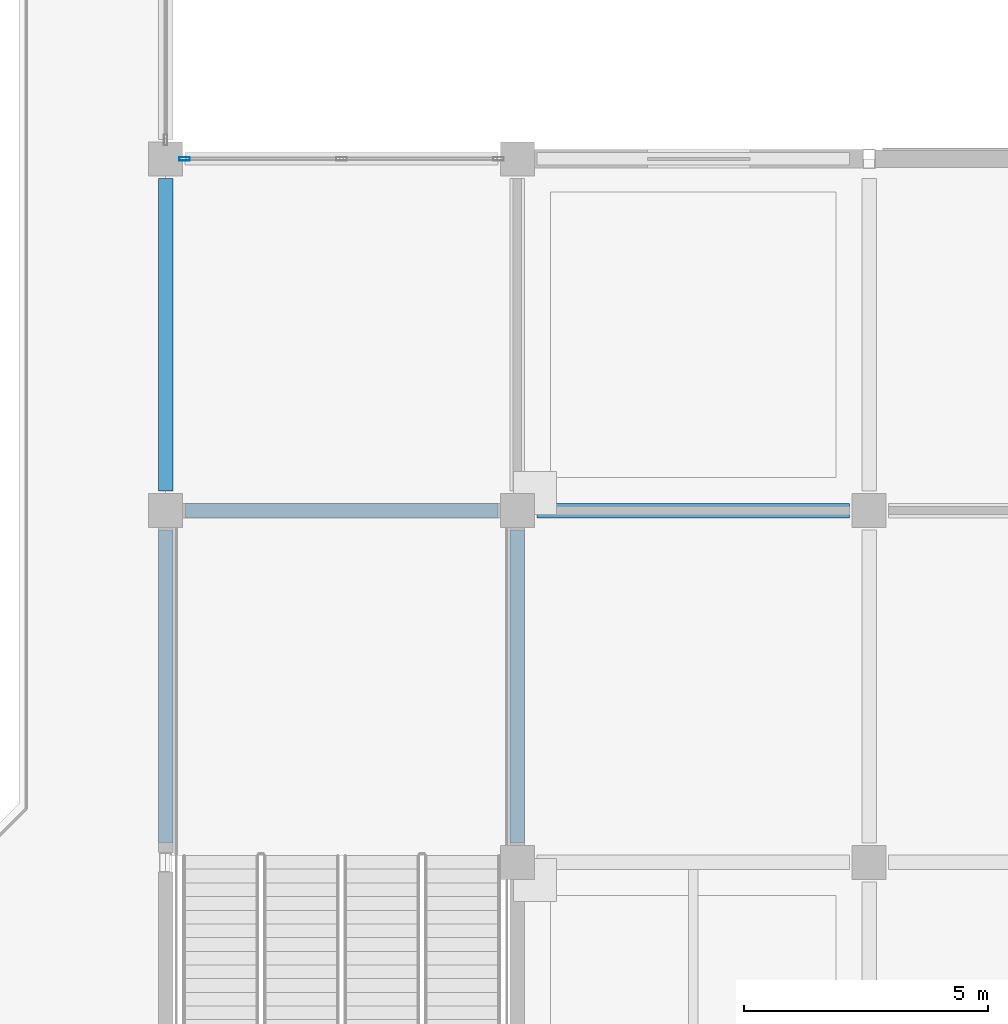
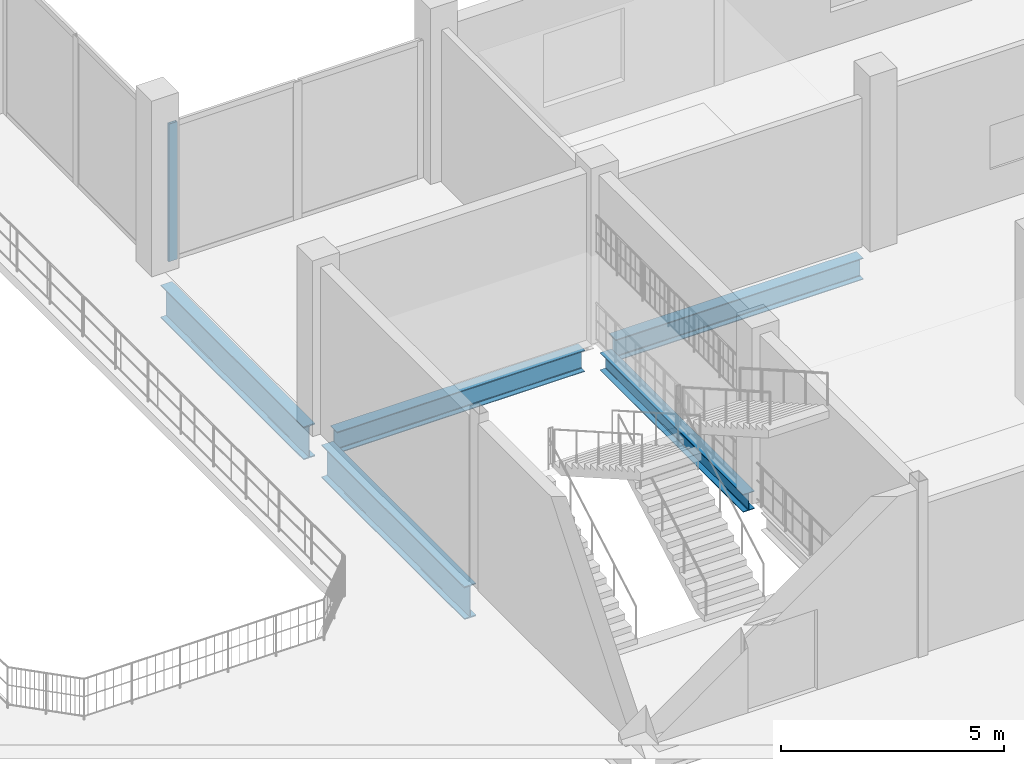
# One storey, part 36 of 120: 5 beams, 1 member, 1 element without a shape of its own.
"""IFC4 building model written with IfcOpenShell, lengths in metres."""

from ifc_helpers import new_model, si_unit, direction, frame, origin, origin_2d, place, context, subcontext, project, spatial, hollow_rectangle, i_section, extrude, material, material_profile, profile_set, type_object, element, aggregate, save


model = new_model("IFC4")

# Units and contexts
model_context = context("Model", 3, precision=1e-05, world=origin(), true_north=direction((0.0, 1.0)))
body_context = subcontext(model_context, "Body", "Model", "MODEL_VIEW")
ifc_project = project(units=[si_unit("LENGTHUNIT", "METRE"), si_unit("AREAUNIT", "SQUARE_METRE"), si_unit("VOLUMEUNIT", "CUBIC_METRE"), si_unit("PLANEANGLEUNIT", "RADIAN"), si_unit("MASSUNIT", "GRAM", prefix="KILO")], contexts=[model_context])

# Site, building, storey
site_placement = place(None, origin())
site = spatial("IfcSite", under=ifc_project, at=site_placement, CompositionType="ELEMENT")
building_placement = place(site_placement, origin())
building = spatial("IfcBuilding", under=site, at=building_placement, Name="Vesperath Aquatics Centre", CompositionType="ELEMENT")
storey_placement = place(building_placement, frame((0.0, 0.0, 10.199951171875)))
storey = spatial("IfcBuildingStorey", under=building, at=storey_placement, Name="L02", CompositionType="ELEMENT", Elevation=10.199951171875)

# Beams
ifc_material_1 = material(Name="Steel Q355D", Category="steel")
ifc_material_profile_1 = material_profile(ifc_material_1, i_section(OverallWidth=0.300048828125, OverallDepth=0.89990234375, WebThickness=0.01611328125, FlangeThickness=0.028076171875, FilletRadius=0.028076171875, at=origin_2d()), Name="HN 900x300x16x28")
ifc_profile_set_1 = profile_set([ifc_material_profile_1], Name="Steel Q355D")
beam_type_1 = type_object("IfcBeamType", Name="BM-G06", PredefinedType="BEAM", material=ifc_profile_set_1)
for number, where, z_axis, x_axis, name in (
    (1, (115.199951171875, 29.199951171875, -0.7099609375), (0.0, 1.0, 0.0), (-1.0, 0.0, 0.0), "Floor Girder B06 L02 17 E-F"),
    (2, (115.199951171875, 36.39990234375, -0.7099609375), (0.0, 1.0, 0.0), (-1.0, 0.0, 0.0), "Floor Girder B06 L02 17 F-G"),
):
    element("IfcBeam", number, at=place(storey_placement, frame(where, z_axis=z_axis, x_axis=x_axis)), inside=storey, type_object=beam_type_1, Name=name, PredefinedType="BEAM", context=body_context, shape_type="SweptSolid", body=[
        extrude(i_section(OverallWidth=0.300048828125, OverallDepth=0.89990234375, WebThickness=0.01611328125, FlangeThickness=0.028076171875, FilletRadius=0.028076171875, at=origin_2d()), origin(), (0.0, 0.0, 1.0), 6.400146484375),
    ])
ifc_material_2 = material(Name="Steel Q355C", Category="steel")
ifc_material_profile_2 = material_profile(ifc_material_2, i_section(OverallWidth=0.300048828125, OverallDepth=0.587890625, WebThickness=0.011962890625, FlangeThickness=0.02001953125, FilletRadius=0.028076171875, at=origin_2d()), Name="HM 588x300x12x20")
ifc_profile_set_2 = profile_set([ifc_material_profile_2], Name="Steel Q355C")
beam_type_2 = type_object("IfcBeamType", Name="BM-G09", PredefinedType="BEAM", material=ifc_profile_set_2)
for number, where, z_axis, x_axis, name in (
    (3, (115.60009765625, 36.0, -0.553955078125), (1.0, 0.0, 0.0), (0.0, 1.0, 0.0), "Floor Girder B09 L02 F 17-18"),
    (4, (122.800048828125, 36.0, -0.553955078125), (1.0, 0.0, 0.0), (0.0, 1.0, 0.0), "Floor Girder B09 L02 F 18-19"),
):
    element("IfcBeam", number, at=place(storey_placement, frame(where, z_axis=z_axis, x_axis=x_axis)), inside=storey, type_object=beam_type_2, Name=name, PredefinedType="BEAM", context=body_context, shape_type="SweptSolid", body=[
        extrude(i_section(OverallWidth=0.300048828125, OverallDepth=0.587890625, WebThickness=0.011962890625, FlangeThickness=0.02001953125, FilletRadius=0.028076171875, at=origin_2d()), origin(), (0.0, 0.0, 1.0), 6.39990234375),
    ])
ifc_material_profile_3 = material_profile(ifc_material_2, i_section(OverallWidth=0.300048828125, OverallDepth=0.488037109375, WebThickness=0.010986328125, FlangeThickness=0.01806640625, FilletRadius=0.02587890625, at=origin_2d()), Name="HM 488x300x11x18")
ifc_profile_set_3 = profile_set([ifc_material_profile_3], Name="Steel Q355C")
beam_type_3 = type_object("IfcBeamType", Name="BM-G10", PredefinedType="BEAM", material=ifc_profile_set_3)
beam_placement = place(storey_placement, frame((122.39990234375, 29.199951171875, -0.50390625), z_axis=(0.0, 1.0, 0.0), x_axis=(-1.0, 0.0, 0.0)))
element("IfcBeam", 5, at=beam_placement, inside=storey, type_object=beam_type_3, Name="Floor Girder B10 L02 18 E-F", PredefinedType="BEAM", context=body_context, shape_type="SweptSolid", body=[
    extrude(i_section(OverallWidth=0.300048828125, OverallDepth=0.488037109375, WebThickness=0.010986328125, FlangeThickness=0.01806640625, FilletRadius=0.02587890625, at=origin_2d()), origin(), (0.0, 0.0, 1.0), 6.400146484375),
])

# Curtain wall, member
ifc_material_3 = material(Name="Thermally broken anodised bronze aluminium curtain wall", Category="aluminium")
curtain_wall_type = type_object("IfcCurtainWallType", Name="CW-06", PredefinedType="NOTDEFINED", material=ifc_material_3)
curtain_wall_placement = place(storey_placement, origin())
curtain_wall = element("IfcCurtainWall", 6, at=curtain_wall_placement, inside=storey, type_object=curtain_wall_type, Name="Facade Curtain Wall CW06 L02_N_16_06", PredefinedType="NOTDEFINED")
ifc_material_4 = material(Name="Thermally broken anodised aluminium", Category="aluminium")
ifc_material_profile_4 = material_profile(ifc_material_4, hollow_rectangle(XDim=0.070068359375, YDim=0.219970703125, WallThickness=0.0048828125, at=origin_2d()), Name="CWM 70x220x5")
ifc_profile_set_4 = profile_set([ifc_material_profile_4], Name="Thermally broken anodised aluminium")
member_type = type_object("IfcMemberType", Name="MB-CWM2", PredefinedType="MULLION", material=ifc_profile_set_4)
member_placement = place(storey_placement, frame((115.5849609375, 43.199951171875, 0.0), z_axis=(0.0, 0.0, 1.0), x_axis=(0.0, 1.0, 0.0)))
member = element("IfcMember", 7, at=member_placement, type_object=member_type, Name="CW06 mullion 1", PredefinedType="MULLION", context=body_context, shape_type="SweptSolid", body=[
    extrude(hollow_rectangle(XDim=0.070068359375, YDim=0.219970703125, WallThickness=0.0048828125, at=origin_2d()), origin(), (0.0, 0.0, 1.0), 3.760009765625),
])
aggregate(curtain_wall, [member])

save(model, "model.ifc")
